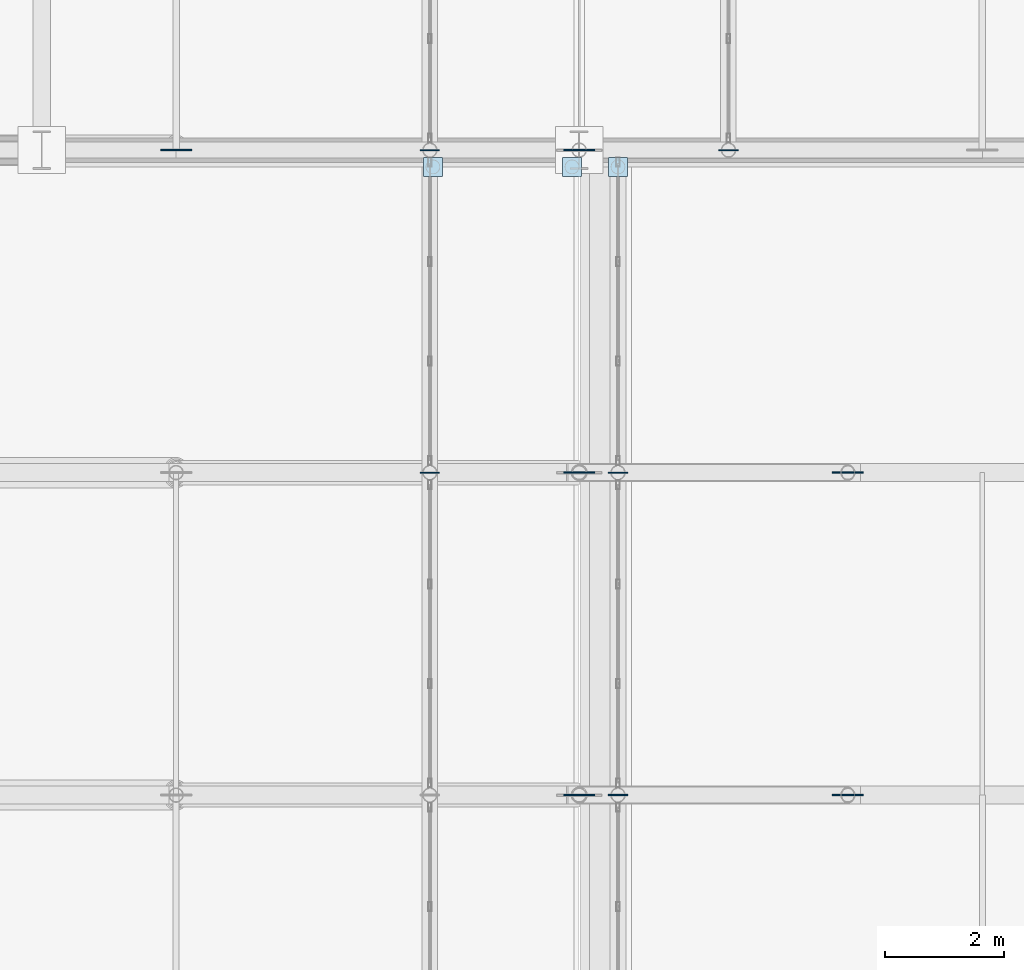
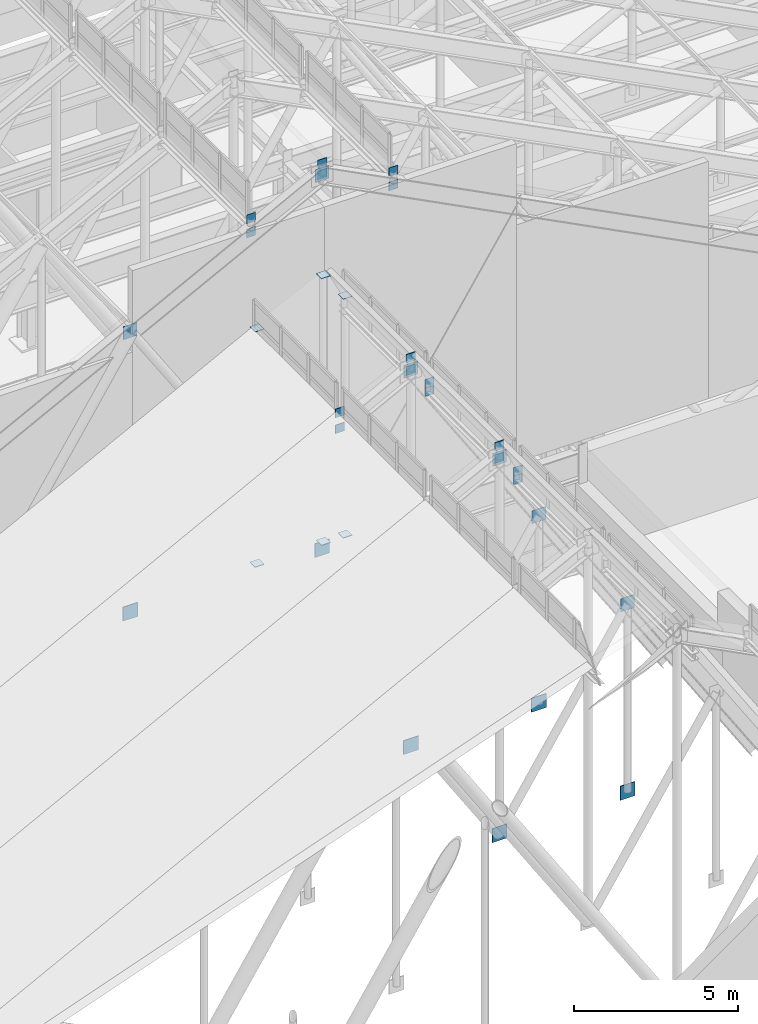
# One storey, part 75 of 84: 34 plates.
"""IFC4 building model written with IfcOpenShell, lengths in metres."""

from ifc_helpers import new_model, si_unit, direction, frame, origin, origin_2d, place, context, subcontext, project, spatial, rectangle, extrude, material, layer, layer_set, type_object, element, save


model = new_model("IFC4")

# Units and contexts
model_context = context("Model", 3, precision=1e-05, world=origin(), true_north=direction((0.0, 1.0)))
body_context = subcontext(model_context, "Body", "Model", "MODEL_VIEW")
ifc_project = project(units=[si_unit("LENGTHUNIT", "METRE"), si_unit("AREAUNIT", "SQUARE_METRE"), si_unit("VOLUMEUNIT", "CUBIC_METRE"), si_unit("PLANEANGLEUNIT", "RADIAN"), si_unit("MASSUNIT", "GRAM", prefix="KILO")], contexts=[model_context])

# Site, building, storey
site_placement = place(None, origin())
site = spatial("IfcSite", under=ifc_project, at=site_placement, CompositionType="ELEMENT")
building_placement = place(site_placement, origin())
building = spatial("IfcBuilding", under=site, at=building_placement, Name="Sundgate Opera House", CompositionType="ELEMENT")
storey_placement = place(building_placement, frame((0.0, 0.0, 30.60009765625)))
storey = spatial("IfcBuildingStorey", under=building, at=storey_placement, Name="L06", CompositionType="ELEMENT", Elevation=30.60009765625)

# Plates
ifc_material_1 = material(Name="Steel S355J2", Category="steel")
ifc_layer_1 = layer(ifc_material_1, 0.02001953125)
ifc_layer_set_1 = layer_set([ifc_layer_1], Name="Steel S355J2")
plate_type_1 = type_object("IfcPlateType", Name="PT-GUS-20", PredefinedType="USERDEFINED", material=ifc_layer_set_1)
for number, where, z_axis, x_axis, name in (
    (1, (54.0, 49.199951171875, 13.0400390625), (0.0, 0.0, 1.0), (1.0, 0.0, 0.0), "L06 Lantern Post Base Gusset"),
    (2, (54.0, 49.199951171875, 13.5), (0.0, 0.0, 1.0), (1.0, 0.0, 0.0), "L06 Lantern Post Cap Gusset"),
    (3, (54.64990234375, 49.199951171875, 12.03173828125), (0.0, 0.0, 1.0), (1.0, 0.0, 0.0), "L06 Lantern Post Base Gusset"),
    (4, (54.64990234375, 49.199951171875, 12.33984375), (0.0, 0.0, 1.0), (1.0, 0.0, 0.0), "L06 Lantern Post Cap Gusset"),
    (5, (51.5, 54.60009765625, 11.7470703125), (0.0, 0.0, 1.0), (1.0, 0.0, 0.0), "L06 Lantern Post Base Gusset"),
    (6, (51.5, 54.60009765625, 12.33984375), (0.0, 0.0, 1.0), (1.0, 0.0, 0.0), "L06 Lantern Post Cap Gusset"),
    (7, (54.0, 54.60009765625, 13.0400390625), (0.0, 0.0, 1.0), (1.0, 0.0, 0.0), "L06 Lantern Post Base Gusset"),
    (8, (54.0, 54.60009765625, 13.5), (0.0, 0.0, 1.0), (1.0, 0.0, 0.0), "L06 Lantern Post Cap Gusset"),
    (9, (54.64990234375, 54.60009765625, 12.03173828125), (0.0, 0.0, 1.0), (1.0, 0.0, 0.0), "L06 Lantern Post Base Gusset"),
    (10, (54.64990234375, 54.60009765625, 12.33984375), (0.0, 0.0, 1.0), (1.0, 0.0, 0.0), "L06 Lantern Post Cap Gusset"),
    (11, (51.5, 60.0, 15.751953125), (0.0, 0.0, 1.0), (1.0, 0.0, 0.0), "L06 Lantern Post Base Gusset"),
    (12, (51.5, 60.0, 16.27978515625), (0.0, 0.0, 1.0), (1.0, 0.0, 0.0), "L06 Lantern Post Cap Gusset"),
    (13, (54.0, 60.0, 17.0400390625), (0.0, 0.0, 1.0), (1.0, 0.0, 0.0), "L06 Lantern Post Base Gusset"),
    (14, (54.0, 60.0, 17.43994140625), (0.0, 0.0, 1.0), (1.0, 0.0, 0.0), "L06 Lantern Post Cap Gusset"),
    (15, (56.5, 60.0, 15.751953125), (0.0, 0.0, 1.0), (1.0, 0.0, 0.0), "L06 Lantern Post Base Gusset"),
    (16, (56.5, 60.0, 16.27978515625), (0.0, 0.0, 1.0), (1.0, 0.0, 0.0), "L06 Lantern Post Cap Gusset"),
):
    element("IfcPlate", number, at=place(storey_placement, frame(where, z_axis=z_axis, x_axis=x_axis)), inside=storey, type_object=plate_type_1, Name=name, ObjectType="GUSSET PLATE", PredefinedType="USERDEFINED", context=body_context, shape_type="SweptSolid", body=[
        extrude(rectangle(XDim=0.320068359375, YDim=0.02001953125, at=origin_2d()), origin(), (0.0, 0.0, 1.0), 0.320068359375),
    ])
for number, where, z_axis, x_axis, name in (
    (17, (51.550048828125, 59.719970703125, 3.739990234375), (0.0, 0.0, 1.0), (1.0, 0.0, 0.0), "L06 Step Lantern Post Base Cap"),
    (18, (51.550048828125, 59.719970703125, 12.489990234375), (0.0, 0.0, 1.0), (1.0, 0.0, 0.0), "L06 Step Lantern Post Top Cap"),
    (19, (53.8798828125, 59.719970703125, 3.739990234375), (0.0, 0.0, 1.0), (1.0, 0.0, 0.0), "L06 Step Lantern Post Base Cap"),
    (20, (53.8798828125, 59.719970703125, 13.64990234375), (0.0, 0.0, 1.0), (1.0, 0.0, 0.0), "L06 Step Lantern Post Top Cap"),
    (21, (54.64990234375, 59.719970703125, 3.739990234375), (0.0, 0.0, 1.0), (1.0, 0.0, 0.0), "L06 Step Lantern Post Base Cap"),
    (22, (54.64990234375, 59.719970703125, 12.619873046875), (0.0, 0.0, 1.0), (1.0, 0.0, 0.0), "L06 Step Lantern Post Top Cap"),
):
    element("IfcPlate", number, at=place(storey_placement, frame(where, z_axis=z_axis, x_axis=x_axis)), inside=storey, type_object=plate_type_1, Name=name, ObjectType="GUSSET PLATE", PredefinedType="USERDEFINED", context=body_context, shape_type="SweptSolid", body=[
        extrude(rectangle(XDim=0.320068359375, YDim=0.320068359375, at=origin_2d()), origin(), (0.0, 0.0, 1.0), 0.02001953125),
    ])
ifc_material_2 = material(Name="Steel S355J2", Category="steel")
ifc_layer_2 = layer(ifc_material_2, 0.02490234375)
ifc_layer_set_2 = layer_set([ifc_layer_2], Name="Steel S355J2")
plate_type_2 = type_object("IfcPlateType", Name="PT-GUS-25", PredefinedType="USERDEFINED", material=ifc_layer_set_2)
plate_1_placement = place(storey_placement, frame((54.0, 49.199951171875, -1.02001953125), z_axis=(0.0, 0.0, 1.0), x_axis=(1.0, 0.0, 0.0)))
element("IfcPlate", 23, at=plate_1_placement, inside=storey, type_object=plate_type_2, Name="L06 Truss Lower Node Gusset Plate", ObjectType="GUSSET PLATE", PredefinedType="USERDEFINED", context=body_context, shape_type="SweptSolid", body=[
    extrude(rectangle(XDim=0.52001953125, YDim=0.02490234375, at=origin_2d()), origin(), (0.0, 0.0, 1.0), 0.52001953125),
])
for number, where, z_axis, x_axis, name in (
    (24, (54.0, 49.199951171875, 12.9599609375), (0.0, 0.0, 1.0), (1.0, 0.0, 0.0), "L06 Truss Upper Node Gusset Plate"),
    (25, (58.5, 49.199951171875, 5.97998046875), (0.0, 0.0, 1.0), (1.0, 0.0, 0.0), "L06 Truss Upper Node Gusset Plate"),
):
    element("IfcPlate", number, at=place(storey_placement, frame(where, z_axis=z_axis, x_axis=x_axis)), inside=storey, type_object=plate_type_2, Name=name, ObjectType="GUSSET PLATE", PredefinedType="USERDEFINED", context=body_context, shape_type="SweptSolid", body=[
        extrude(rectangle(XDim=0.47998046875, YDim=0.02490234375, at=origin_2d()), origin(), (0.0, 0.0, 1.0), 0.47998046875),
    ])
plate_2_placement = place(storey_placement, frame((54.0, 54.60009765625, -1.02001953125), z_axis=(0.0, 0.0, 1.0), x_axis=(1.0, 0.0, 0.0)))
element("IfcPlate", 26, at=plate_2_placement, inside=storey, type_object=plate_type_2, Name="L06 Truss Lower Node Gusset Plate", ObjectType="GUSSET PLATE", PredefinedType="USERDEFINED", context=body_context, shape_type="SweptSolid", body=[
    extrude(rectangle(XDim=0.52001953125, YDim=0.02490234375, at=origin_2d()), origin(), (0.0, 0.0, 1.0), 0.52001953125),
])
for number, where, z_axis, x_axis, name in (
    (27, (54.0, 54.60009765625, 12.9599609375), (0.0, 0.0, 1.0), (1.0, 0.0, 0.0), "L06 Truss Upper Node Gusset Plate"),
    (28, (58.5, 54.60009765625, 5.97998046875), (0.0, 0.0, 1.0), (1.0, 0.0, 0.0), "L06 Truss Upper Node Gusset Plate"),
    (29, (47.25, 60.0, 13.482421875), (0.0, 0.0, 1.0), (1.0, 0.0, 0.0), "L06 Truss Upper Node Gusset Plate"),
):
    element("IfcPlate", number, at=place(storey_placement, frame(where, z_axis=z_axis, x_axis=x_axis)), inside=storey, type_object=plate_type_2, Name=name, ObjectType="GUSSET PLATE", PredefinedType="USERDEFINED", context=body_context, shape_type="SweptSolid", body=[
        extrude(rectangle(XDim=0.47998046875, YDim=0.02490234375, at=origin_2d()), origin(), (0.0, 0.0, 1.0), 0.47998046875),
    ])
plate_3_placement = place(storey_placement, frame((54.0, 60.0, 3.02978515625), z_axis=(0.0, 0.0, 1.0), x_axis=(1.0, 0.0, 0.0)))
element("IfcPlate", 30, at=plate_3_placement, inside=storey, type_object=plate_type_2, Name="L06 Truss Lower Node Gusset Plate", ObjectType="GUSSET PLATE", PredefinedType="USERDEFINED", context=body_context, shape_type="SweptSolid", body=[
    extrude(rectangle(XDim=0.52001953125, YDim=0.02490234375, at=origin_2d()), origin(), (0.0, 0.0, 1.0), 0.52001953125),
])
plate_4_placement = place(storey_placement, frame((54.0, 60.0, 16.9599609375), z_axis=(0.0, 0.0, 1.0), x_axis=(1.0, 0.0, 0.0)))
element("IfcPlate", 31, at=plate_4_placement, inside=storey, type_object=plate_type_2, Name="L06 Truss Upper Node Gusset Plate", ObjectType="GUSSET PLATE", PredefinedType="USERDEFINED", context=body_context, shape_type="SweptSolid", body=[
    extrude(rectangle(XDim=0.47998046875, YDim=0.02490234375, at=origin_2d()), origin(), (0.0, 0.0, 1.0), 0.47998046875),
])
ifc_material_3 = material(Name="Steel S355J2", Category="steel")
ifc_layer_3 = layer(ifc_material_3, 0.028076171875)
ifc_layer_set_3 = layer_set([ifc_layer_3], Name="Steel S355J2")
plate_type_3 = type_object("IfcPlateType", Name="PT-GUS-28", PredefinedType="USERDEFINED", material=ifc_layer_set_3)
for number, where, z_axis, x_axis, name in (
    (32, (58.5, 49.199951171875, -1.02001953125), (0.0, 0.0, 1.0), (1.0, 0.0, 0.0), "L06 Truss Lower Node Gusset Plate"),
    (33, (58.5, 54.60009765625, -1.02001953125), (0.0, 0.0, 1.0), (1.0, 0.0, 0.0), "L06 Truss Lower Node Gusset Plate"),
    (34, (47.25, 60.0, 3.02978515625), (0.0, 0.0, 1.0), (1.0, 0.0, 0.0), "L06 Truss Lower Node Gusset Plate"),
):
    element("IfcPlate", number, at=place(storey_placement, frame(where, z_axis=z_axis, x_axis=x_axis)), inside=storey, type_object=plate_type_3, Name=name, ObjectType="GUSSET PLATE", PredefinedType="USERDEFINED", context=body_context, shape_type="SweptSolid", body=[
        extrude(rectangle(XDim=0.52001953125, YDim=0.028076171875, at=origin_2d()), origin(), (0.0, 0.0, 1.0), 0.52001953125),
    ])

save(model, "model.ifc")
